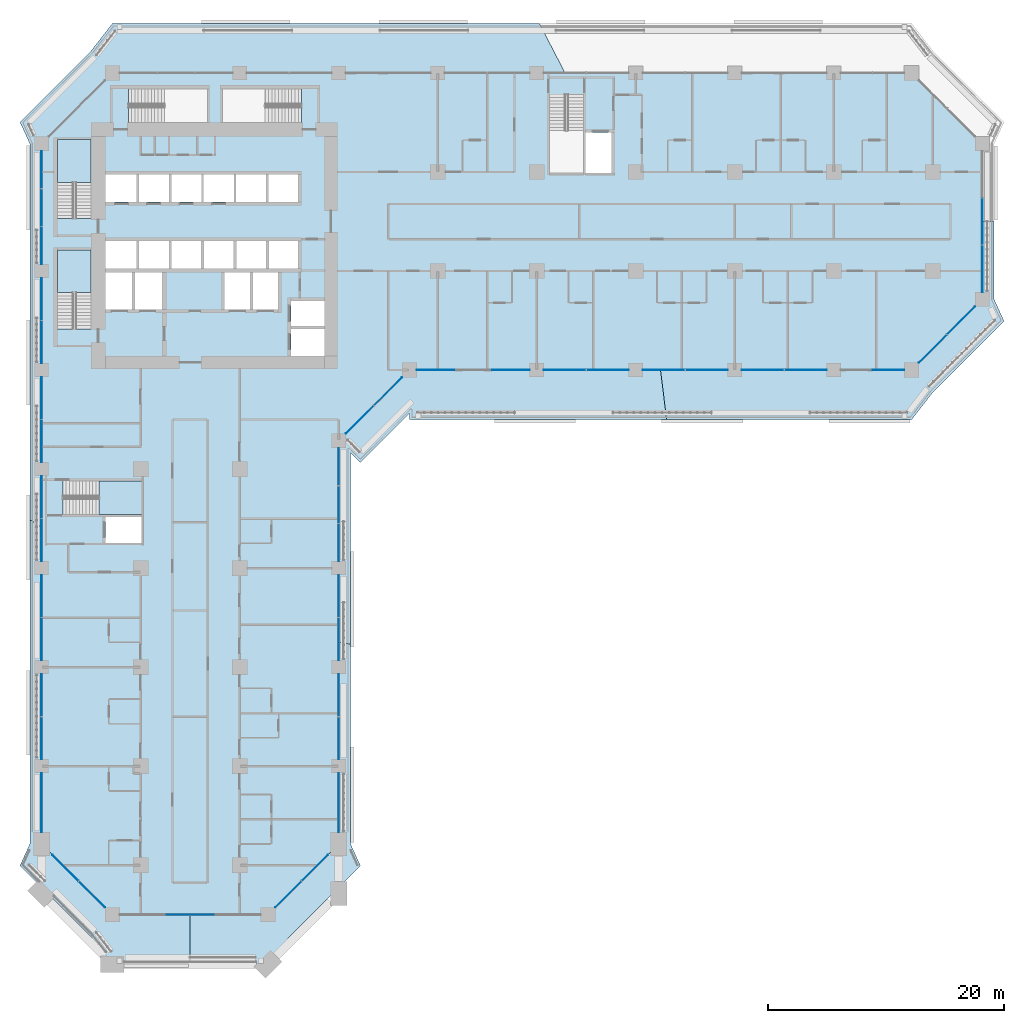
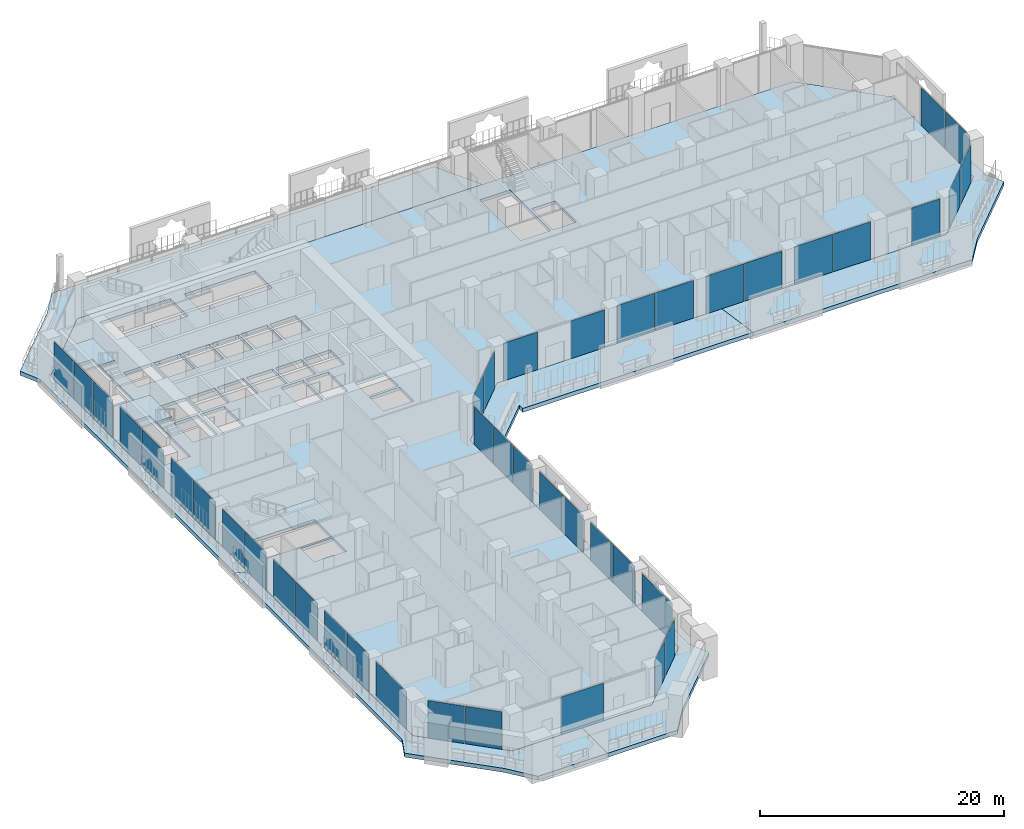
# One storey, part 11 of 28: 42 plates, 9 slabs, 12 elements without a shape of their own.
"""IFC4 building model written with IfcOpenShell, lengths in metres."""

from ifc_helpers import new_model, si_unit, direction, frame, origin, origin_2d, place, context, subcontext, project, spatial, polyline, rectangle, outline, extrude, material, layer, layer_set, type_object, element, aggregate, save


model = new_model("IFC4")

# Units and contexts
model_context = context("Model", 3, precision=1e-05, world=origin(), true_north=direction((0.0, 1.0)))
body_context = subcontext(model_context, "Body", "Model", "MODEL_VIEW")
ifc_project = project(units=[si_unit("LENGTHUNIT", "METRE"), si_unit("AREAUNIT", "SQUARE_METRE"), si_unit("VOLUMEUNIT", "CUBIC_METRE"), si_unit("PLANEANGLEUNIT", "RADIAN"), si_unit("MASSUNIT", "GRAM", prefix="KILO")], contexts=[model_context])

# Site, building, storey
site_placement = place(None, origin())
site = spatial("IfcSite", under=ifc_project, at=site_placement, CompositionType="ELEMENT")
building_placement = place(site_placement, origin())
building = spatial("IfcBuilding", under=site, at=building_placement, Name="Kawkab Arch Medical Tower", CompositionType="ELEMENT")
storey_placement = place(building_placement, frame((0.0, 0.0, 56.0)))
storey = spatial("IfcBuildingStorey", under=building, at=storey_placement, Name="L12", CompositionType="ELEMENT", Elevation=56.0)

# Curtain wall, plates
ifc_material_1 = material(Name="Bronze anodised aluminium curtain wall frame", Category="aluminium")
ifc_layer_1 = layer(ifc_material_1, 0.159912109375)
ifc_layer_set_1 = layer_set([ifc_layer_1], Name="Bronze anodised aluminium curtain wall frame")
curtain_wall_type_1 = type_object("IfcCurtainWallType", Name="CW1 ward curtain wall", PredefinedType="NOTDEFINED", material=ifc_layer_set_1)
placement_1 = place(storey_placement, origin())
curtain_wall_1 = element("IfcCurtainWall", 1, at=placement_1, inside=storey, type_object=curtain_wall_type_1, Name="CW1 Ward curtain wall R01", PredefinedType="NOTDEFINED")
ifc_material_2 = material(Name="Tinted insulating glass, bronze low-e coating", Category="glass")
ifc_layer_2 = layer(ifc_material_2, 0.031982421875)
ifc_layer_set_2 = layer_set([ifc_layer_2], Name="Tinted insulating glass, bronze low-e coating")
plate_type_1 = type_object("IfcPlateType", Name="CW1 glazing unit 32", PredefinedType="CURTAIN_PANEL", material=ifc_layer_set_2)
plate_1_placement = place(storey_placement, frame((0.0, -8.205810546875, 0.0), z_axis=(0.0, 0.0, 1.0), x_axis=(0.0, -1.0, 0.0)))
plate_1 = element("IfcPlate", 2, at=plate_1_placement, type_object=plate_type_1, Name="CW1 glazing unit 1.1", PredefinedType="CURTAIN_PANEL", context=body_context, shape_type="SweptSolid", body=[
    extrude(rectangle(XDim=3.16162109375, YDim=0.031982421875, at=origin_2d()), origin(), (0.0, 0.0, 1.0), 3.780029296875),
])
plate_2_placement = place(storey_placement, frame((0.0, -11.41259765625, 0.0), z_axis=(0.0, 0.0, 1.0), x_axis=(0.0, -1.0, 0.0)))
plate_2 = element("IfcPlate", 3, at=plate_2_placement, type_object=plate_type_1, Name="CW1 glazing unit 1.2", PredefinedType="CURTAIN_PANEL", context=body_context, shape_type="SweptSolid", body=[
    extrude(rectangle(XDim=3.131591796875, YDim=0.031982421875, at=origin_2d()), origin(), (0.0, 0.0, 1.0), 3.780029296875),
])
plate_3_placement = place(storey_placement, frame((0.0, -14.619140625, 0.0), z_axis=(0.0, 0.0, 1.0), x_axis=(0.0, -1.0, 0.0)))
plate_3 = element("IfcPlate", 4, at=plate_3_placement, type_object=plate_type_1, Name="CW1 glazing unit 1.3", PredefinedType="CURTAIN_PANEL", context=body_context, shape_type="SweptSolid", body=[
    extrude(rectangle(XDim=3.16162109375, YDim=0.031982421875, at=origin_2d()), origin(), (0.0, 0.0, 1.0), 3.780029296875),
])
plate_4_placement = place(storey_placement, frame((0.0, -19.18505859375, 0.0), z_axis=(0.0, 0.0, 1.0), x_axis=(0.0, -1.0, 0.0)))
plate_4 = element("IfcPlate", 5, at=plate_4_placement, type_object=plate_type_1, Name="CW1 glazing unit 2.1", PredefinedType="CURTAIN_PANEL", context=body_context, shape_type="SweptSolid", body=[
    extrude(rectangle(XDim=3.570068359375, YDim=0.031982421875, at=origin_2d()), origin(), (0.0, 0.0, 1.0), 3.780029296875),
])
plate_5_placement = place(storey_placement, frame((0.0, -22.81494140625, 0.0), z_axis=(0.0, 0.0, 1.0), x_axis=(0.0, -1.0, 0.0)))
plate_5 = element("IfcPlate", 6, at=plate_5_placement, type_object=plate_type_1, Name="CW1 glazing unit 2.2", PredefinedType="CURTAIN_PANEL", context=body_context, shape_type="SweptSolid", body=[
    extrude(rectangle(XDim=3.570068359375, YDim=0.031982421875, at=origin_2d()), origin(), (0.0, 0.0, 1.0), 3.780029296875),
])
plate_6_placement = place(storey_placement, frame((0.0, -27.5849609375, 0.0), z_axis=(0.0, 0.0, 1.0), x_axis=(0.0, -1.0, 0.0)))
plate_6 = element("IfcPlate", 7, at=plate_6_placement, type_object=plate_type_1, Name="CW1 glazing unit 3.1", PredefinedType="CURTAIN_PANEL", context=body_context, shape_type="SweptSolid", body=[
    extrude(rectangle(XDim=3.570068359375, YDim=0.031982421875, at=origin_2d()), origin(), (0.0, 0.0, 1.0), 3.780029296875),
])
plate_7_placement = place(storey_placement, frame((0.0, -31.215087890625, 0.0), z_axis=(0.0, 0.0, 1.0), x_axis=(0.0, -1.0, 0.0)))
plate_7 = element("IfcPlate", 8, at=plate_7_placement, type_object=plate_type_1, Name="CW1 glazing unit 3.2", PredefinedType="CURTAIN_PANEL", context=body_context, shape_type="SweptSolid", body=[
    extrude(rectangle(XDim=3.570068359375, YDim=0.031982421875, at=origin_2d()), origin(), (0.0, 0.0, 1.0), 3.780029296875),
])
plate_8_placement = place(storey_placement, frame((0.0, -35.985107421875, 0.0), z_axis=(0.0, 0.0, 1.0), x_axis=(0.0, -1.0, 0.0)))
plate_8 = element("IfcPlate", 9, at=plate_8_placement, type_object=plate_type_1, Name="CW1 glazing unit 4.1", PredefinedType="CURTAIN_PANEL", context=body_context, shape_type="SweptSolid", body=[
    extrude(rectangle(XDim=3.570068359375, YDim=0.031982421875, at=origin_2d()), origin(), (0.0, 0.0, 1.0), 3.780029296875),
])
plate_9_placement = place(storey_placement, frame((0.0, -39.614990234375, 0.0), z_axis=(0.0, 0.0, 1.0), x_axis=(0.0, -1.0, 0.0)))
plate_9 = element("IfcPlate", 10, at=plate_9_placement, type_object=plate_type_1, Name="CW1 glazing unit 4.2", PredefinedType="CURTAIN_PANEL", context=body_context, shape_type="SweptSolid", body=[
    extrude(rectangle(XDim=3.570068359375, YDim=0.031982421875, at=origin_2d()), origin(), (0.0, 0.0, 1.0), 3.780029296875),
])
plate_10_placement = place(storey_placement, frame((0.0, -44.385009765625, 0.0), z_axis=(0.0, 0.0, 1.0), x_axis=(0.0, -1.0, 0.0)))
plate_10 = element("IfcPlate", 11, at=plate_10_placement, type_object=plate_type_1, Name="CW1 glazing unit 5.1", PredefinedType="CURTAIN_PANEL", context=body_context, shape_type="SweptSolid", body=[
    extrude(rectangle(XDim=3.570068359375, YDim=0.031982421875, at=origin_2d()), origin(), (0.0, 0.0, 1.0), 3.780029296875),
])
plate_11_placement = place(storey_placement, frame((0.0, -48.014892578125, 0.0), z_axis=(0.0, 0.0, 1.0), x_axis=(0.0, -1.0, 0.0)))
plate_11 = element("IfcPlate", 12, at=plate_11_placement, type_object=plate_type_1, Name="CW1 glazing unit 5.2", PredefinedType="CURTAIN_PANEL", context=body_context, shape_type="SweptSolid", body=[
    extrude(rectangle(XDim=3.570068359375, YDim=0.031982421875, at=origin_2d()), origin(), (0.0, 0.0, 1.0), 3.780029296875),
])
plate_12_placement = place(storey_placement, frame((0.0, -52.784912109375, 0.0), z_axis=(0.0, 0.0, 1.0), x_axis=(0.0, -1.0, 0.0)))
plate_12 = element("IfcPlate", 13, at=plate_12_placement, type_object=plate_type_1, Name="CW1 glazing unit 6.1", PredefinedType="CURTAIN_PANEL", context=body_context, shape_type="SweptSolid", body=[
    extrude(rectangle(XDim=3.570068359375, YDim=0.031982421875, at=origin_2d()), origin(), (0.0, 0.0, 1.0), 3.780029296875),
])
plate_13_placement = place(storey_placement, frame((0.0, -56.4150390625, 0.0), z_axis=(0.0, 0.0, 1.0), x_axis=(0.0, -1.0, 0.0)))
plate_13 = element("IfcPlate", 14, at=plate_13_placement, type_object=plate_type_1, Name="CW1 glazing unit 6.2", PredefinedType="CURTAIN_PANEL", context=body_context, shape_type="SweptSolid", body=[
    extrude(rectangle(XDim=3.570068359375, YDim=0.031982421875, at=origin_2d()), origin(), (0.0, 0.0, 1.0), 3.780029296875),
])
plate_14_placement = place(storey_placement, frame((0.0, -61.89990234375, 0.0), z_axis=(0.0, 0.0, 1.0), x_axis=(0.0, -1.0, 0.0)))
plate_14 = element("IfcPlate", 15, at=plate_14_placement, type_object=plate_type_1, Name="CW1 glazing unit 7.1", PredefinedType="CURTAIN_PANEL", context=body_context, shape_type="SweptSolid", body=[
    extrude(rectangle(XDim=5.0, YDim=0.031982421875, at=origin_2d()), origin(), (0.0, 0.0, 1.0), 3.780029296875),
])
aggregate(curtain_wall_1, [plate_1, plate_2, plate_3, plate_4, plate_5, plate_6, plate_7, plate_8, plate_9, plate_10, plate_11, plate_12, plate_13, plate_14])

# Curtain wall, plate
curtain_wall_2 = element("IfcCurtainWall", 16, at=placement_1, inside=storey, type_object=curtain_wall_type_1, Name="CW1 Ward curtain wall R03", PredefinedType="NOTDEFINED")
plate_15_placement = place(storey_placement, frame((12.60009765625, -71.39990234375, 0.0), z_axis=(0.0, 0.0, 1.0), x_axis=(1.0, 0.0, 0.0)))
plate_15 = element("IfcPlate", 17, at=plate_15_placement, type_object=plate_type_1, Name="CW1 glazing unit 1.2", PredefinedType="CURTAIN_PANEL", context=body_context, shape_type="SweptSolid", body=[
    extrude(rectangle(XDim=3.9833984375, YDim=0.031982421875, at=origin_2d()), origin(), (0.0, 0.0, 1.0), 3.780029296875),
])
aggregate(curtain_wall_2, [plate_15])

# Curtain wall, plates
curtain_wall_3 = element("IfcCurtainWall", 18, at=placement_1, inside=storey, type_object=curtain_wall_type_1, Name="CW1 Ward curtain wall R05", PredefinedType="NOTDEFINED")
plate_16_placement = place(storey_placement, frame((25.199951171875, -61.89990234375, 0.0), z_axis=(0.0, 0.0, 1.0), x_axis=(0.0, 1.0, 0.0)))
plate_16 = element("IfcPlate", 19, at=plate_16_placement, type_object=plate_type_1, Name="CW1 glazing unit 1.1", PredefinedType="CURTAIN_PANEL", context=body_context, shape_type="SweptSolid", body=[
    extrude(rectangle(XDim=5.0, YDim=0.031982421875, at=origin_2d()), origin(), (0.0, 0.0, 1.0), 3.780029296875),
])
plate_17_placement = place(storey_placement, frame((25.199951171875, -56.4150390625, 0.0), z_axis=(0.0, 0.0, 1.0), x_axis=(0.0, 1.0, 0.0)))
plate_17 = element("IfcPlate", 20, at=plate_17_placement, type_object=plate_type_1, Name="CW1 glazing unit 2.1", PredefinedType="CURTAIN_PANEL", context=body_context, shape_type="SweptSolid", body=[
    extrude(rectangle(XDim=3.570068359375, YDim=0.031982421875, at=origin_2d()), origin(), (0.0, 0.0, 1.0), 3.780029296875),
])
plate_18_placement = place(storey_placement, frame((25.199951171875, -52.784912109375, 0.0), z_axis=(0.0, 0.0, 1.0), x_axis=(0.0, 1.0, 0.0)))
plate_18 = element("IfcPlate", 21, at=plate_18_placement, type_object=plate_type_1, Name="CW1 glazing unit 2.2", PredefinedType="CURTAIN_PANEL", context=body_context, shape_type="SweptSolid", body=[
    extrude(rectangle(XDim=3.570068359375, YDim=0.031982421875, at=origin_2d()), origin(), (0.0, 0.0, 1.0), 3.780029296875),
])
plate_19_placement = place(storey_placement, frame((25.199951171875, -48.014892578125, 0.0), z_axis=(0.0, 0.0, 1.0), x_axis=(0.0, 1.0, 0.0)))
plate_19 = element("IfcPlate", 22, at=plate_19_placement, type_object=plate_type_1, Name="CW1 glazing unit 3.1", PredefinedType="CURTAIN_PANEL", context=body_context, shape_type="SweptSolid", body=[
    extrude(rectangle(XDim=3.570068359375, YDim=0.031982421875, at=origin_2d()), origin(), (0.0, 0.0, 1.0), 3.780029296875),
])
plate_20_placement = place(storey_placement, frame((25.199951171875, -44.385009765625, 0.0), z_axis=(0.0, 0.0, 1.0), x_axis=(0.0, 1.0, 0.0)))
plate_20 = element("IfcPlate", 23, at=plate_20_placement, type_object=plate_type_1, Name="CW1 glazing unit 3.2", PredefinedType="CURTAIN_PANEL", context=body_context, shape_type="SweptSolid", body=[
    extrude(rectangle(XDim=3.570068359375, YDim=0.031982421875, at=origin_2d()), origin(), (0.0, 0.0, 1.0), 3.780029296875),
])
plate_21_placement = place(storey_placement, frame((25.199951171875, -39.819091796875, 0.0), z_axis=(0.0, 0.0, 1.0), x_axis=(0.0, 1.0, 0.0)))
plate_21 = element("IfcPlate", 24, at=plate_21_placement, type_object=plate_type_1, Name="CW1 glazing unit 4.1", PredefinedType="CURTAIN_PANEL", context=body_context, shape_type="SweptSolid", body=[
    extrude(rectangle(XDim=3.16162109375, YDim=0.031982421875, at=origin_2d()), origin(), (0.0, 0.0, 1.0), 3.780029296875),
])
plate_22_placement = place(storey_placement, frame((25.199951171875, -36.612548828125, 0.0), z_axis=(0.0, 0.0, 1.0), x_axis=(0.0, 1.0, 0.0)))
plate_22 = element("IfcPlate", 25, at=plate_22_placement, type_object=plate_type_1, Name="CW1 glazing unit 4.2", PredefinedType="CURTAIN_PANEL", context=body_context, shape_type="SweptSolid", body=[
    extrude(rectangle(XDim=3.131591796875, YDim=0.031982421875, at=origin_2d()), origin(), (0.0, 0.0, 1.0), 3.780029296875),
])
plate_23_placement = place(storey_placement, frame((25.199951171875, -33.40576171875, 0.0), z_axis=(0.0, 0.0, 1.0), x_axis=(0.0, 1.0, 0.0)))
plate_23 = element("IfcPlate", 26, at=plate_23_placement, type_object=plate_type_1, Name="CW1 glazing unit 4.3", PredefinedType="CURTAIN_PANEL", context=body_context, shape_type="SweptSolid", body=[
    extrude(rectangle(XDim=3.16162109375, YDim=0.031982421875, at=origin_2d()), origin(), (0.0, 0.0, 1.0), 3.780029296875),
])
aggregate(curtain_wall_3, [plate_16, plate_17, plate_18, plate_19, plate_20, plate_21, plate_22, plate_23])

curtain_wall_4 = element("IfcCurtainWall", 27, at=placement_1, inside=storey, type_object=curtain_wall_type_1, Name="CW1 Ward curtain wall R07", PredefinedType="NOTDEFINED")
plate_24_placement = place(storey_placement, frame((33.4208984375, -25.199951171875, 0.0), z_axis=(0.0, 0.0, 1.0), x_axis=(1.0, 0.0, 0.0)))
plate_24 = element("IfcPlate", 28, at=plate_24_placement, type_object=plate_type_1, Name="CW1 glazing unit 1.1", PredefinedType="CURTAIN_PANEL", context=body_context, shape_type="SweptSolid", body=[
    extrude(rectangle(XDim=3.191650390625, YDim=0.031982421875, at=origin_2d()), origin(), (0.0, 0.0, 1.0), 3.780029296875),
])
plate_25_placement = place(storey_placement, frame((39.80419921875, -25.199951171875, 0.0), z_axis=(0.0, 0.0, 1.0), x_axis=(1.0, 0.0, 0.0)))
plate_25 = element("IfcPlate", 29, at=plate_25_placement, type_object=plate_type_1, Name="CW1 glazing unit 1.3", PredefinedType="CURTAIN_PANEL", context=body_context, shape_type="SweptSolid", body=[
    extrude(rectangle(XDim=3.191650390625, YDim=0.031982421875, at=origin_2d()), origin(), (0.0, 0.0, 1.0), 3.780029296875),
])
plate_26_placement = place(storey_placement, frame((44.385009765625, -25.199951171875, 0.0), z_axis=(0.0, 0.0, 1.0), x_axis=(1.0, 0.0, 0.0)))
plate_26 = element("IfcPlate", 30, at=plate_26_placement, type_object=plate_type_1, Name="CW1 glazing unit 2.1", PredefinedType="CURTAIN_PANEL", context=body_context, shape_type="SweptSolid", body=[
    extrude(rectangle(XDim=3.570068359375, YDim=0.031982421875, at=origin_2d()), origin(), (0.0, 0.0, 1.0), 3.780029296875),
])
plate_27_placement = place(storey_placement, frame((48.014892578125, -25.199951171875, 0.0), z_axis=(0.0, 0.0, 1.0), x_axis=(1.0, 0.0, 0.0)))
plate_27 = element("IfcPlate", 31, at=plate_27_placement, type_object=plate_type_1, Name="CW1 glazing unit 2.2", PredefinedType="CURTAIN_PANEL", context=body_context, shape_type="SweptSolid", body=[
    extrude(rectangle(XDim=3.570068359375, YDim=0.031982421875, at=origin_2d()), origin(), (0.0, 0.0, 1.0), 3.780029296875),
])
plate_28_placement = place(storey_placement, frame((52.784912109375, -25.199951171875, 0.0), z_axis=(0.0, 0.0, 1.0), x_axis=(1.0, 0.0, 0.0)))
plate_28 = element("IfcPlate", 32, at=plate_28_placement, type_object=plate_type_1, Name="CW1 glazing unit 3.1", PredefinedType="CURTAIN_PANEL", context=body_context, shape_type="SweptSolid", body=[
    extrude(rectangle(XDim=3.570068359375, YDim=0.031982421875, at=origin_2d()), origin(), (0.0, 0.0, 1.0), 3.780029296875),
])
plate_29_placement = place(storey_placement, frame((56.4150390625, -25.199951171875, 0.0), z_axis=(0.0, 0.0, 1.0), x_axis=(1.0, 0.0, 0.0)))
plate_29 = element("IfcPlate", 33, at=plate_29_placement, type_object=plate_type_1, Name="CW1 glazing unit 3.2", PredefinedType="CURTAIN_PANEL", context=body_context, shape_type="SweptSolid", body=[
    extrude(rectangle(XDim=3.570068359375, YDim=0.031982421875, at=origin_2d()), origin(), (0.0, 0.0, 1.0), 3.780029296875),
])
plate_30_placement = place(storey_placement, frame((61.18505859375, -25.199951171875, 0.0), z_axis=(0.0, 0.0, 1.0), x_axis=(1.0, 0.0, 0.0)))
plate_30 = element("IfcPlate", 34, at=plate_30_placement, type_object=plate_type_1, Name="CW1 glazing unit 4.1", PredefinedType="CURTAIN_PANEL", context=body_context, shape_type="SweptSolid", body=[
    extrude(rectangle(XDim=3.570068359375, YDim=0.031982421875, at=origin_2d()), origin(), (0.0, 0.0, 1.0), 3.780029296875),
])
plate_31_placement = place(storey_placement, frame((64.81494140625, -25.199951171875, 0.0), z_axis=(0.0, 0.0, 1.0), x_axis=(1.0, 0.0, 0.0)))
plate_31 = element("IfcPlate", 35, at=plate_31_placement, type_object=plate_type_1, Name="CW1 glazing unit 4.2", PredefinedType="CURTAIN_PANEL", context=body_context, shape_type="SweptSolid", body=[
    extrude(rectangle(XDim=3.570068359375, YDim=0.031982421875, at=origin_2d()), origin(), (0.0, 0.0, 1.0), 3.780029296875),
])
plate_32_placement = place(storey_placement, frame((71.831298828125, -25.199951171875, 0.0), z_axis=(0.0, 0.0, 1.0), x_axis=(1.0, 0.0, 0.0)))
plate_32 = element("IfcPlate", 36, at=plate_32_placement, type_object=plate_type_1, Name="CW1 glazing unit 5.2", PredefinedType="CURTAIN_PANEL", context=body_context, shape_type="SweptSolid", body=[
    extrude(rectangle(XDim=2.6875, YDim=0.031982421875, at=origin_2d()), origin(), (0.0, 0.0, 1.0), 3.780029296875),
])
aggregate(curtain_wall_4, [plate_24, plate_25, plate_26, plate_27, plate_28, plate_29, plate_30, plate_31, plate_32])

curtain_wall_5 = element("IfcCurtainWall", 37, at=placement_1, inside=storey, type_object=curtain_wall_type_1, Name="CW1 Ward curtain wall R09", PredefinedType="NOTDEFINED")
plate_33_placement = place(storey_placement, frame((79.800048828125, -16.598388671875, 0.0), z_axis=(0.0, 0.0, 1.0), x_axis=(0.0, 1.0, 0.0)))
plate_33 = element("IfcPlate", 38, at=plate_33_placement, type_object=plate_type_1, Name="CW1 glazing unit 1.1", PredefinedType="CURTAIN_PANEL", context=body_context, shape_type="SweptSolid", body=[
    extrude(rectangle(XDim=3.953369140625, YDim=0.031982421875, at=origin_2d()), origin(), (0.0, 0.0, 1.0), 3.780029296875),
])
plate_34_placement = place(storey_placement, frame((79.800048828125, -12.60009765625, 0.0), z_axis=(0.0, 0.0, 1.0), x_axis=(0.0, 1.0, 0.0)))
plate_34 = element("IfcPlate", 39, at=plate_34_placement, type_object=plate_type_1, Name="CW1 glazing unit 1.2", PredefinedType="CURTAIN_PANEL", context=body_context, shape_type="SweptSolid", body=[
    extrude(rectangle(XDim=3.92333984375, YDim=0.031982421875, at=origin_2d()), origin(), (0.0, 0.0, 1.0), 3.780029296875),
])
aggregate(curtain_wall_5, [plate_33, plate_34])

ifc_material_3 = material(Name="Bronze anodised aluminium curtain wall frame", Category="aluminium")
ifc_layer_3 = layer(ifc_material_3, 0.159912109375)
ifc_layer_set_3 = layer_set([ifc_layer_3], Name="Bronze anodised aluminium curtain wall frame")
curtain_wall_type_2 = type_object("IfcCurtainWallType", Name="CW2 chamfer curtain wall", PredefinedType="NOTDEFINED", material=ifc_layer_set_3)
curtain_wall_6 = element("IfcCurtainWall", 40, at=placement_1, inside=storey, type_object=curtain_wall_type_2, Name="CW2 Chamfer curtain wall R02", PredefinedType="NOTDEFINED")
ifc_material_4 = material(Name="Tinted insulating glass, bronze low-e coating", Category="glass")
ifc_layer_4 = layer(ifc_material_4, 0.031982421875)
ifc_layer_set_4 = layer_set([ifc_layer_4], Name="Tinted insulating glass, bronze low-e coating")
plate_type_2 = type_object("IfcPlateType", Name="CW2 glazing unit 32", PredefinedType="CURTAIN_PANEL", material=ifc_layer_set_4)
plate_35_placement = place(storey_placement, frame((2.031005859375, -67.430908203125, 0.0), z_axis=(0.0, 0.0, 1.0), x_axis=(0.707106781187, -0.707106781187, 0.0)))
plate_35 = element("IfcPlate", 41, at=plate_35_placement, type_object=plate_type_2, Name="CW2 glazing unit 1.1", PredefinedType="CURTAIN_PANEL", context=body_context, shape_type="SweptSolid", body=[
    extrude(rectangle(XDim=3.11279296875, YDim=0.031982421875, at=origin_2d()), origin(), (0.0, 0.0, 1.0), 3.760009765625),
])
plate_36_placement = place(storey_placement, frame((4.2744140625, -69.674560546875, 0.0), z_axis=(0.0, 0.0, 1.0), x_axis=(0.707106781187, -0.707106781187, 0.0)))
plate_36 = element("IfcPlate", 42, at=plate_36_placement, type_object=plate_type_2, Name="CW2 glazing unit 1.2", PredefinedType="CURTAIN_PANEL", context=body_context, shape_type="SweptSolid", body=[
    extrude(rectangle(XDim=3.11279296875, YDim=0.031982421875, at=origin_2d()), origin(), (0.0, 0.0, 1.0), 3.760009765625),
])
aggregate(curtain_wall_6, [plate_35, plate_36])

curtain_wall_7 = element("IfcCurtainWall", 43, at=placement_1, inside=storey, type_object=curtain_wall_type_2, Name="CW2 Chamfer curtain wall R04", PredefinedType="NOTDEFINED")
plate_37_placement = place(storey_placement, frame((20.925537109375, -69.674560546875, 0.0), z_axis=(0.0, 0.0, 1.0), x_axis=(0.707106781187, 0.707106781187, 0.0)))
plate_37 = element("IfcPlate", 44, at=plate_37_placement, type_object=plate_type_2, Name="CW2 glazing unit 1.1", PredefinedType="CURTAIN_PANEL", context=body_context, shape_type="SweptSolid", body=[
    extrude(rectangle(XDim=3.11279296875, YDim=0.031982421875, at=origin_2d()), origin(), (0.0, 0.0, 1.0), 3.760009765625),
])
plate_38_placement = place(storey_placement, frame((23.169189453125, -67.430908203125, 0.0), z_axis=(0.0, 0.0, 1.0), x_axis=(0.707106781187, 0.707106781187, 0.0)))
plate_38 = element("IfcPlate", 45, at=plate_38_placement, type_object=plate_type_2, Name="CW2 glazing unit 1.2", PredefinedType="CURTAIN_PANEL", context=body_context, shape_type="SweptSolid", body=[
    extrude(rectangle(XDim=3.11279296875, YDim=0.031982421875, at=origin_2d()), origin(), (0.0, 0.0, 1.0), 3.760009765625),
])
aggregate(curtain_wall_7, [plate_37, plate_38])

curtain_wall_8 = element("IfcCurtainWall", 46, at=placement_1, inside=storey, type_object=curtain_wall_type_2, Name="CW2 Chamfer curtain wall R06", PredefinedType="NOTDEFINED")
plate_39_placement = place(storey_placement, frame((27.001953125, -29.398193359375, 0.0), z_axis=(0.0, 0.0, 1.0), x_axis=(0.707106781187, 0.707106781187, 0.0)))
plate_39 = element("IfcPlate", 47, at=plate_39_placement, type_object=plate_type_2, Name="CW2 glazing unit 1.1", PredefinedType="CURTAIN_PANEL", context=body_context, shape_type="SweptSolid", body=[
    extrude(rectangle(XDim=3.328857421875, YDim=0.031982421875, at=origin_2d()), origin(), (0.0, 0.0, 1.0), 3.760009765625),
])
plate_40_placement = place(storey_placement, frame((29.398193359375, -27.001953125, 0.0), z_axis=(0.0, 0.0, 1.0), x_axis=(0.707106781187, 0.707106781187, 0.0)))
plate_40 = element("IfcPlate", 48, at=plate_40_placement, type_object=plate_type_2, Name="CW2 glazing unit 1.2", PredefinedType="CURTAIN_PANEL", context=body_context, shape_type="SweptSolid", body=[
    extrude(rectangle(XDim=3.328857421875, YDim=0.031982421875, at=origin_2d()), origin(), (0.0, 0.0, 1.0), 3.760009765625),
])
aggregate(curtain_wall_8, [plate_39, plate_40])

curtain_wall_9 = element("IfcCurtainWall", 49, at=placement_1, inside=storey, type_object=curtain_wall_type_2, Name="CW2 Chamfer curtain wall R08", PredefinedType="NOTDEFINED")
plate_41_placement = place(storey_placement, frame((75.601806640625, -23.398193359375, 0.0), z_axis=(0.0, 0.0, 1.0), x_axis=(0.707106781187, 0.707106781187, 0.0)))
plate_41 = element("IfcPlate", 50, at=plate_41_placement, type_object=plate_type_2, Name="CW2 glazing unit 1.1", PredefinedType="CURTAIN_PANEL", context=body_context, shape_type="SweptSolid", body=[
    extrude(rectangle(XDim=3.328857421875, YDim=0.031982421875, at=origin_2d()), origin(), (0.0, 0.0, 1.0), 3.760009765625),
])
plate_42_placement = place(storey_placement, frame((77.998046875, -21.001953125, 0.0), z_axis=(0.0, 0.0, 1.0), x_axis=(0.707106781187, 0.707106781187, 0.0)))
plate_42 = element("IfcPlate", 51, at=plate_42_placement, type_object=plate_type_2, Name="CW2 glazing unit 1.2", PredefinedType="CURTAIN_PANEL", context=body_context, shape_type="SweptSolid", body=[
    extrude(rectangle(XDim=3.328857421875, YDim=0.031982421875, at=origin_2d()), origin(), (0.0, 0.0, 1.0), 3.760009765625),
])
aggregate(curtain_wall_9, [plate_41, plate_42])

# Stair, slab
ifc_material_5 = material(Name="Concrete C40/50", Category="concrete")
stair_type = type_object("IfcStairType", Name="Exit stair 1350", PredefinedType="HALF_TURN_STAIR", material=ifc_material_5)
stair_1 = element("IfcStair", 52, at=placement_1, inside=storey, type_object=stair_type, Name="L12 Exit stair ST1", PredefinedType="HALF_TURN_STAIR")
ifc_material_6 = material(Name="Concrete C40/50", Category="concrete")
ifc_layer_5 = layer(ifc_material_6, 0.199951171875)
ifc_layer_set_5 = layer_set([ifc_layer_5], Name="Concrete C40/50")
slab_type_1 = type_object("IfcSlabType", Name="Exit stair landing 200", PredefinedType="LANDING", material=ifc_layer_set_5)
placement_2 = place(storey_placement, frame((0.0, 0.0, 1.89990234375)))
slab_1 = element("IfcSlab", 53, at=placement_2, type_object=slab_type_1, Name="ST1 landing 1", PredefinedType="LANDING", context=body_context, shape_type="SweptSolid", body=[
    extrude(outline(polyline([(4.199951171875, -9.27001953125), (4.199951171875, -5.64990234375), (1.35009765625, -5.64990234375), (1.35009765625, -9.27001953125), (4.199951171875, -9.27001953125)])), origin(), (0.0, 0.0, 1.0), 0.2001953125),
])
aggregate(stair_1, [slab_1])

stair_2 = element("IfcStair", 54, at=placement_1, inside=storey, type_object=stair_type, Name="L12 Exit stair ST2", PredefinedType="HALF_TURN_STAIR")
slab_2 = element("IfcSlab", 55, at=placement_2, type_object=slab_type_1, Name="ST2 landing 1", PredefinedType="LANDING", context=body_context, shape_type="SweptSolid", body=[
    extrude(outline(polyline([(4.199951171875, -18.6201171875), (4.199951171875, -15.0), (1.35009765625, -15.0), (1.35009765625, -18.6201171875), (4.199951171875, -18.6201171875)])), origin(), (0.0, 0.0, 1.0), 0.2001953125),
])
aggregate(stair_2, [slab_2])

stair_3 = element("IfcStair", 56, at=placement_1, inside=storey, type_object=stair_type, Name="L12 Exit stair ST6", PredefinedType="HALF_TURN_STAIR")
slab_3 = element("IfcSlab", 57, at=placement_2, type_object=slab_type_1, Name="ST6 landing 1", PredefinedType="LANDING", context=body_context, shape_type="SweptSolid", body=[
    extrude(outline(polyline([(4.8798828125, -37.449951171875), (8.5, -37.449951171875), (8.5, -34.60009765625), (4.8798828125, -34.60009765625), (4.8798828125, -37.449951171875)])), origin(), (0.0, 0.0, 1.0), 0.2001953125),
])
aggregate(stair_3, [slab_3])

# Slabs
ifc_material_7 = material(Name="Concrete C40/50", Category="concrete")
ifc_layer_6 = layer(ifc_material_7, 0.300048828125)
ifc_layer_set_6 = layer_set([ifc_layer_6], Name="Concrete C40/50")
slab_type_2 = type_object("IfcSlabType", Name="Flat plate 300 C40/50", PredefinedType="FLOOR", material=ifc_layer_set_6)
slab_4_placement = place(storey_placement, frame((0.0, 0.0, -0.300048828125)))
element("IfcSlab", 58, at=slab_4_placement, inside=storey, type_object=slab_type_2, Name="Floor slab L12", PredefinedType="FLOOR", context=body_context, shape_type="SweptSolid", body=[
    extrude(outline(polyline([(6.0, 0.0), (73.800048828125, 0.0), (79.800048828125, -6.0), (79.800048828125, -19.199951171875), (73.800048828125, -25.199951171875), (31.199951171875, -25.199951171875), (25.199951171875, -31.199951171875), (25.199951171875, -65.39990234375), (19.199951171875, -71.39990234375), (6.0, -71.39990234375), (0.0, -65.39990234375), (0.0, -6.0), (6.0, 0.0)]), holes=[polyline([(5.425048828125, -37.64990234375), (5.425048828125, -39.85009765625), (8.5, -39.85009765625), (8.5, -37.64990234375), (5.425048828125, -37.64990234375)]), polyline([(1.800048828125, -37.449951171875), (8.5, -37.449951171875), (8.5, -34.60009765625), (1.800048828125, -34.60009765625), (1.800048828125, -37.449951171875)]), polyline([(5.39990234375, -16.89990234375), (5.39990234375, -20.050048828125), (7.675048828125, -20.050048828125), (7.675048828125, -16.89990234375), (5.39990234375, -16.89990234375)]), polyline([(10.199951171875, -16.89990234375), (7.925048828125, -16.89990234375), (7.925048828125, -20.050048828125), (10.199951171875, -20.050048828125), (10.199951171875, -16.89990234375)]), polyline([(4.199951171875, -21.699951171875), (4.199951171875, -15.0), (1.35009765625, -15.0), (1.35009765625, -21.699951171875), (4.199951171875, -21.699951171875)]), polyline([(5.39990234375, -14.25), (5.39990234375, -16.60009765625), (8.050048828125, -16.60009765625), (8.050048828125, -14.25), (5.39990234375, -14.25)]), polyline([(10.800048828125, -14.25), (8.25, -14.25), (8.25, -16.60009765625), (10.800048828125, -16.60009765625), (10.800048828125, -14.25)]), polyline([(11.0, -14.25), (11.0, -16.60009765625), (13.52490234375, -16.60009765625), (13.52490234375, -14.25), (11.0, -14.25)]), polyline([(5.39990234375, -8.60009765625), (5.39990234375, -10.949951171875), (8.050048828125, -10.949951171875), (8.050048828125, -8.60009765625), (5.39990234375, -8.60009765625)]), polyline([(10.800048828125, -8.60009765625), (8.25, -8.60009765625), (8.25, -10.949951171875), (10.800048828125, -10.949951171875), (10.800048828125, -8.60009765625)]), polyline([(11.0, -10.949951171875), (13.550048828125, -10.949951171875), (13.550048828125, -8.60009765625), (11.0, -8.60009765625), (11.0, -10.949951171875)]), polyline([(4.199951171875, -12.35009765625), (4.199951171875, -5.64990234375), (1.35009765625, -5.64990234375), (1.35009765625, -12.35009765625), (4.199951171875, -12.35009765625)]), polyline([(7.35009765625, -4.199951171875), (14.050048828125, -4.199951171875), (14.050048828125, -1.35009765625), (7.35009765625, -1.35009765625), (7.35009765625, -4.199951171875)]), polyline([(24.0, -21.72509765625), (21.14990234375, -21.72509765625), (21.14990234375, -24.0), (24.0, -24.0), (24.0, -21.72509765625)]), polyline([(24.0, -21.47509765625), (24.0, -19.35009765625), (21.14990234375, -19.35009765625), (21.14990234375, -21.47509765625), (24.0, -21.47509765625)]), polyline([(15.52490234375, -16.89990234375), (15.52490234375, -20.050048828125), (17.675048828125, -20.050048828125), (17.675048828125, -16.89990234375), (15.52490234375, -16.89990234375)]), polyline([(17.925048828125, -20.050048828125), (20.050048828125, -20.050048828125), (20.050048828125, -16.89990234375), (17.925048828125, -16.89990234375), (17.925048828125, -20.050048828125)]), polyline([(16.27490234375, -14.25), (13.77490234375, -14.25), (13.77490234375, -16.60009765625), (16.27490234375, -16.60009765625), (16.27490234375, -14.25)]), polyline([(19.02490234375, -14.25), (16.52490234375, -14.25), (16.52490234375, -16.60009765625), (19.02490234375, -16.60009765625), (19.02490234375, -14.25)]), polyline([(19.27490234375, -16.60009765625), (21.75, -16.60009765625), (21.75, -14.25), (19.27490234375, -14.25), (19.27490234375, -16.60009765625)]), polyline([(13.75, -8.60009765625), (13.75, -10.949951171875), (16.300048828125, -10.949951171875), (16.300048828125, -8.60009765625), (13.75, -8.60009765625)]), polyline([(16.5, -8.60009765625), (16.5, -10.949951171875), (19.050048828125, -10.949951171875), (19.050048828125, -8.60009765625), (16.5, -8.60009765625)]), polyline([(19.25, -10.949951171875), (21.75, -10.949951171875), (21.75, -8.60009765625), (19.25, -8.60009765625), (19.25, -10.949951171875)]), polyline([(46.14990234375, -5.02490234375), (46.14990234375, -8.5), (48.35009765625, -8.5), (48.35009765625, -5.02490234375), (46.14990234375, -5.02490234375)]), polyline([(43.10009765625, -1.800048828125), (43.10009765625, -8.5), (45.949951171875, -8.5), (45.949951171875, -1.800048828125), (43.10009765625, -1.800048828125)]), polyline([(22.050048828125, -1.35009765625), (15.35009765625, -1.35009765625), (15.35009765625, -4.199951171875), (22.050048828125, -4.199951171875), (22.050048828125, -1.35009765625)])]), origin(), (0.0, 0.0, 1.0), 0.300048828125),
])
ifc_material_8 = material(Name="Concrete C40/50", Category="concrete")
ifc_layer_7 = layer(ifc_material_8, 0.39990234375)
ifc_layer_set_7 = layer_set([ifc_layer_7], Name="Concrete C40/50")
slab_type_3 = type_object("IfcSlabType", Name="Loggia slab 400", PredefinedType="FLOOR", material=ifc_layer_set_7)
placement_3 = place(storey_placement, frame((0.0, 0.0, -0.39990234375)))
element("IfcSlab", 59, at=placement_3, inside=storey, type_object=slab_type_3, Name="Loggia slab L12.1", PredefinedType="FLOOR", context=body_context, shape_type="SweptSolid", body=[
    extrude(outline(polyline([(12.60009765625, -75.60009765625), (12.60009765625, -71.40087890625), (19.199951171875, -71.40087890625), (19.199951171875, -71.39990234375), (25.199951171875, -65.39990234375), (25.199951171875, -48.300048828125), (26.199951171875, -48.449951171875), (26.199951171875, -65.39990234375), (27.0380859375, -67.238037109375), (21.0380859375, -73.238037109375), (19.199951171875, -75.60009765625), (12.60009765625, -75.60009765625)])), origin(), (0.0, 0.0, 1.0), 0.39990234375),
])
element("IfcSlab", 60, at=placement_3, inside=storey, type_object=slab_type_3, Name="Loggia slab L12.2", PredefinedType="FLOOR", context=body_context, shape_type="SweptSolid", body=[
    extrude(outline(polyline([(4.162109375, -73.238037109375), (-1.837890625, -67.238037109375), (-1.0, -65.39990234375), (-1.0, -37.89501953125), (-0.0009765625, -38.52001953125), (-0.0009765625, -65.39990234375), (0.0, -65.39990234375), (6.0, -71.39990234375), (6.0, -71.40087890625), (12.60009765625, -71.40087890625), (12.60009765625, -75.60009765625), (6.0, -75.60009765625), (4.162109375, -73.238037109375)])), origin(), (0.0, 0.0, 1.0), 0.39990234375),
])
element("IfcSlab", 61, at=placement_3, inside=storey, type_object=slab_type_3, Name="Loggia slab L12.3", PredefinedType="FLOOR", context=body_context, shape_type="SweptSolid", body=[
    extrude(outline(polyline([(31.199951171875, -28.8759765625), (27.0380859375, -33.037109375), (26.199951171875, -32.198974609375), (26.199951171875, -48.448974609375), (25.199951171875, -48.300048828125), (25.199951171875, -31.199951171875), (31.199951171875, -25.199951171875), (52.5, -25.199951171875), (53.01806640625, -29.39990234375), (31.199951171875, -29.39990234375), (31.199951171875, -28.8759765625)])), origin(), (0.0, 0.0, 1.0), 0.39990234375),
])
element("IfcSlab", 62, at=placement_3, inside=storey, type_object=slab_type_3, Name="Loggia slab L12.4", PredefinedType="FLOOR", context=body_context, shape_type="SweptSolid", body=[
    extrude(outline(polyline([(81.637939453125, -21.0380859375), (75.637939453125, -27.0380859375), (73.800048828125, -29.39990234375), (53.01904296875, -29.39990234375), (52.5, -25.199951171875), (73.800048828125, -25.199951171875), (79.800048828125, -19.199951171875), (79.800048828125, -12.60009765625), (80.800048828125, -12.60009765625), (80.800048828125, -19.199951171875), (81.637939453125, -21.0380859375)])), origin(), (0.0, 0.0, 1.0), 0.39990234375),
])
element("IfcSlab", 63, at=placement_3, inside=storey, type_object=slab_type_3, Name="Loggia slab L12.5", PredefinedType="FLOOR", context=body_context, shape_type="SweptSolid", body=[
    extrude(outline(polyline([(4.162109375, 1.837890625), (6.0, 4.199951171875), (35.39990234375, 4.199951171875), (42.23291015625, 4.199951171875), (44.409912109375, 0.0009765625), (31.200927734375, 0.0009765625), (6.0, 0.0009765625), (6.0, 0.0), (0.0, -6.0), (-0.0009765625, -6.0), (-0.0009765625, -38.52001953125), (-1.0, -37.89404296875), (-1.0, -6.0), (-1.837890625, -4.162109375), (4.162109375, 1.837890625)])), origin(), (0.0, 0.0, 1.0), 0.39990234375),
])

save(model, "model.ifc")
